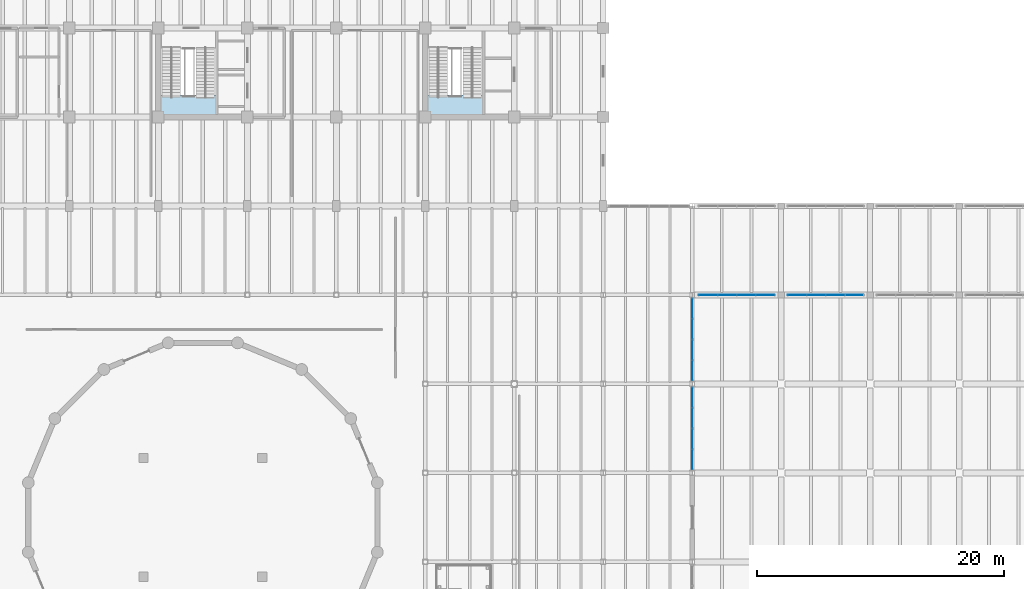
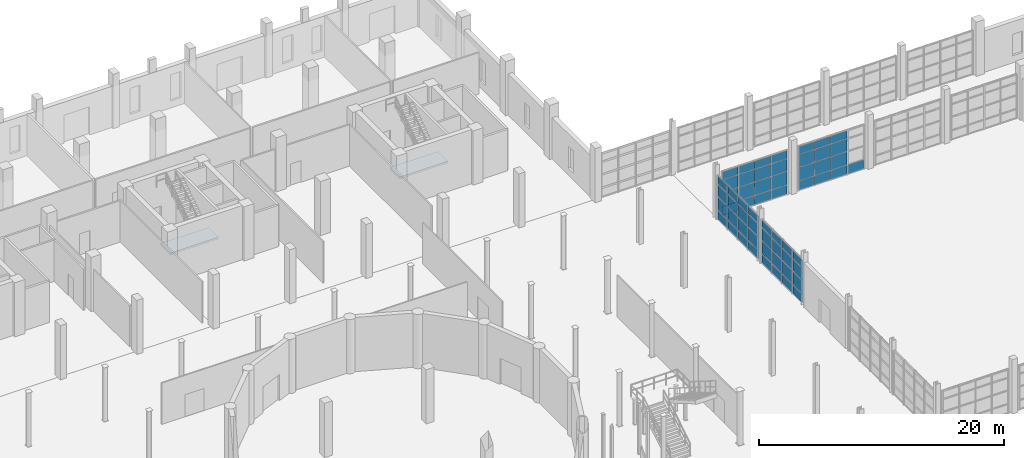
# One storey, part 56 of 79: 61 plates, 2 slabs, 6 elements without a shape of their own.
"""IFC4 building model written with IfcOpenShell, lengths in metres."""

from ifc_helpers import new_model, si_unit, direction, frame, frame_2d, origin, place, context, subcontext, project, spatial, polyline, rectangle, outline, extrude, material, layer, layer_set, type_object, element, aggregate, save


model = new_model("IFC4")

# Units and contexts
model_context = context("Model", 3, precision=1e-05, world=origin(), true_north=direction((0.0, 1.0)))
body_context = subcontext(model_context, "Body", "Model", "MODEL_VIEW")
ifc_project = project(units=[si_unit("LENGTHUNIT", "METRE"), si_unit("AREAUNIT", "SQUARE_METRE"), si_unit("VOLUMEUNIT", "CUBIC_METRE"), si_unit("PLANEANGLEUNIT", "RADIAN"), si_unit("MASSUNIT", "GRAM", prefix="KILO")], contexts=[model_context])

# Site, building, storey
site_placement = place(None, origin())
site = spatial("IfcSite", under=ifc_project, at=site_placement, CompositionType="ELEMENT")
building_placement = place(site_placement, origin())
building = spatial("IfcBuilding", under=site, at=building_placement, Name="Qiaolan Assembly House", CompositionType="ELEMENT")
storey_placement = place(building_placement, origin())
storey = spatial("IfcBuildingStorey", under=building, at=storey_placement, Name="L00", CompositionType="ELEMENT", Elevation=0.0)

# Curtain wall, plates
ifc_material_1 = material(Name="Anodised bronze aluminium", Category="aluminium")
curtain_wall_type_1 = type_object("IfcCurtainWallType", Name="CW-CLOISTER-420", PredefinedType="NOTDEFINED", material=ifc_material_1)
curtain_wall_1_placement = place(storey_placement, origin())
curtain_wall_1 = element("IfcCurtainWall", 1, at=curtain_wall_1_placement, inside=storey, type_object=curtain_wall_type_1, Name="CW-05 North Cloister court arcade L00-1", PredefinedType="NOTDEFINED")
ifc_material_2 = material(Name="Low-E double insulating glass", Category="glass")
ifc_layer_1 = layer(ifc_material_2, 0.02587890625)
ifc_layer_set_1 = layer_set([ifc_layer_1], Name="Low-E double insulating glass")
plate_type_1 = type_object("IfcPlateType", Name="CW-CLOISTER-420-PNL", PredefinedType="CURTAIN_PANEL", material=ifc_layer_set_1)
plate_1_placement = place(storey_placement, frame((108.547119140625, 79.199951171875, 0.052978515625), z_axis=(0.0, 0.0, 1.0), x_axis=(1.0, 0.0, 0.0)))
plate_1 = element("IfcPlate", 2, at=plate_1_placement, type_object=plate_type_1, Name="GL-06 glazing panel CW-CLN-CRT-L00-0-1", PredefinedType="CURTAIN_PANEL", context=body_context, shape_type="SweptSolid", body=[
    extrude(rectangle(XDim=1.48583984375, YDim=0.02587890625, at=frame_2d((0.742919921875, 0.0))), origin(), (0.0, 0.0, 1.0), 0.8740234375),
])
plate_2_placement = place(storey_placement, frame((108.547119140625, 79.199951171875, 0.972900390625), z_axis=(0.0, 0.0, 1.0), x_axis=(1.0, 0.0, 0.0)))
plate_2 = element("IfcPlate", 3, at=plate_2_placement, type_object=plate_type_1, Name="GL-06 glazing panel CW-CLN-CRT-L00-0-2", PredefinedType="CURTAIN_PANEL", context=body_context, shape_type="SweptSolid", body=[
    extrude(rectangle(XDim=1.48583984375, YDim=0.02587890625, at=frame_2d((0.742919921875, 0.0))), origin(), (0.0, 0.0, 1.0), 1.302490234375),
])
plate_3_placement = place(storey_placement, frame((108.547119140625, 79.199951171875, 2.3212890625), z_axis=(0.0, 0.0, 1.0), x_axis=(1.0, 0.0, 0.0)))
plate_3 = element("IfcPlate", 4, at=plate_3_placement, type_object=plate_type_1, Name="GL-06 glazing panel CW-CLN-CRT-L00-0-3", PredefinedType="CURTAIN_PANEL", context=body_context, shape_type="SweptSolid", body=[
    extrude(rectangle(XDim=1.48583984375, YDim=0.02587890625, at=frame_2d((0.742919921875, 0.0))), origin(), (0.0, 0.0, 1.0), 1.225830078125),
])
plate_4_placement = place(storey_placement, frame((108.547119140625, 79.199951171875, 3.593017578125), z_axis=(0.0, 0.0, 1.0), x_axis=(1.0, 0.0, 0.0)))
plate_4 = element("IfcPlate", 5, at=plate_4_placement, type_object=plate_type_1, Name="GL-06 glazing panel CW-CLN-CRT-L00-0-4", PredefinedType="CURTAIN_PANEL", context=body_context, shape_type="SweptSolid", body=[
    extrude(rectangle(XDim=1.48583984375, YDim=0.02587890625, at=frame_2d((0.742919921875, 0.0))), origin(), (0.0, 0.0, 1.0), 0.77392578125),
])
plate_5_placement = place(storey_placement, frame((110.0869140625, 79.199951171875, 0.052978515625), z_axis=(0.0, 0.0, 1.0), x_axis=(1.0, 0.0, 0.0)))
plate_5 = element("IfcPlate", 6, at=plate_5_placement, type_object=plate_type_1, Name="GL-06 glazing panel CW-CLN-CRT-L00-0-5", PredefinedType="CURTAIN_PANEL", context=body_context, shape_type="SweptSolid", body=[
    extrude(rectangle(XDim=1.486083984375, YDim=0.02587890625, at=frame_2d((0.7431640625, 0.0))), origin(), (0.0, 0.0, 1.0), 0.8740234375),
])
plate_6_placement = place(storey_placement, frame((110.0869140625, 79.199951171875, 0.972900390625), z_axis=(0.0, 0.0, 1.0), x_axis=(1.0, 0.0, 0.0)))
plate_6 = element("IfcPlate", 7, at=plate_6_placement, type_object=plate_type_1, Name="GL-06 glazing panel CW-CLN-CRT-L00-0-6", PredefinedType="CURTAIN_PANEL", context=body_context, shape_type="SweptSolid", body=[
    extrude(rectangle(XDim=1.486083984375, YDim=0.02587890625, at=frame_2d((0.7431640625, 0.0))), origin(), (0.0, 0.0, 1.0), 1.302490234375),
])
plate_7_placement = place(storey_placement, frame((110.0869140625, 79.199951171875, 2.3212890625), z_axis=(0.0, 0.0, 1.0), x_axis=(1.0, 0.0, 0.0)))
plate_7 = element("IfcPlate", 8, at=plate_7_placement, type_object=plate_type_1, Name="GL-06 glazing panel CW-CLN-CRT-L00-0-7", PredefinedType="CURTAIN_PANEL", context=body_context, shape_type="SweptSolid", body=[
    extrude(rectangle(XDim=1.486083984375, YDim=0.02587890625, at=frame_2d((0.7431640625, 0.0))), origin(), (0.0, 0.0, 1.0), 1.225830078125),
])
plate_8_placement = place(storey_placement, frame((110.0869140625, 79.199951171875, 3.593017578125), z_axis=(0.0, 0.0, 1.0), x_axis=(1.0, 0.0, 0.0)))
plate_8 = element("IfcPlate", 9, at=plate_8_placement, type_object=plate_type_1, Name="GL-06 glazing panel CW-CLN-CRT-L00-0-8", PredefinedType="CURTAIN_PANEL", context=body_context, shape_type="SweptSolid", body=[
    extrude(rectangle(XDim=1.486083984375, YDim=0.02587890625, at=frame_2d((0.7431640625, 0.0))), origin(), (0.0, 0.0, 1.0), 0.77392578125),
])
plate_9_placement = place(storey_placement, frame((111.626953125, 79.199951171875, 0.052978515625), z_axis=(0.0, 0.0, 1.0), x_axis=(1.0, 0.0, 0.0)))
plate_9 = element("IfcPlate", 10, at=plate_9_placement, type_object=plate_type_1, Name="GL-06 glazing panel CW-CLN-CRT-L00-0-9", PredefinedType="CURTAIN_PANEL", context=body_context, shape_type="SweptSolid", body=[
    extrude(rectangle(XDim=1.486083984375, YDim=0.02587890625, at=frame_2d((0.7431640625, 0.0))), origin(), (0.0, 0.0, 1.0), 0.8740234375),
])
plate_10_placement = place(storey_placement, frame((111.626953125, 79.199951171875, 0.972900390625), z_axis=(0.0, 0.0, 1.0), x_axis=(1.0, 0.0, 0.0)))
plate_10 = element("IfcPlate", 11, at=plate_10_placement, type_object=plate_type_1, Name="GL-06 glazing panel CW-CLN-CRT-L00-0-10", PredefinedType="CURTAIN_PANEL", context=body_context, shape_type="SweptSolid", body=[
    extrude(rectangle(XDim=1.486083984375, YDim=0.02587890625, at=frame_2d((0.7431640625, 0.0))), origin(), (0.0, 0.0, 1.0), 1.302490234375),
])
plate_11_placement = place(storey_placement, frame((111.626953125, 79.199951171875, 2.3212890625), z_axis=(0.0, 0.0, 1.0), x_axis=(1.0, 0.0, 0.0)))
plate_11 = element("IfcPlate", 12, at=plate_11_placement, type_object=plate_type_1, Name="GL-06 glazing panel CW-CLN-CRT-L00-0-11", PredefinedType="CURTAIN_PANEL", context=body_context, shape_type="SweptSolid", body=[
    extrude(rectangle(XDim=1.486083984375, YDim=0.02587890625, at=frame_2d((0.7431640625, 0.0))), origin(), (0.0, 0.0, 1.0), 1.225830078125),
])
plate_12_placement = place(storey_placement, frame((111.626953125, 79.199951171875, 3.593017578125), z_axis=(0.0, 0.0, 1.0), x_axis=(1.0, 0.0, 0.0)))
plate_12 = element("IfcPlate", 13, at=plate_12_placement, type_object=plate_type_1, Name="GL-06 glazing panel CW-CLN-CRT-L00-0-12", PredefinedType="CURTAIN_PANEL", context=body_context, shape_type="SweptSolid", body=[
    extrude(rectangle(XDim=1.486083984375, YDim=0.02587890625, at=frame_2d((0.7431640625, 0.0))), origin(), (0.0, 0.0, 1.0), 0.77392578125),
])
plate_13_placement = place(storey_placement, frame((113.1669921875, 79.199951171875, 0.052978515625), z_axis=(0.0, 0.0, 1.0), x_axis=(1.0, 0.0, 0.0)))
plate_13 = element("IfcPlate", 14, at=plate_13_placement, type_object=plate_type_1, Name="GL-06 glazing panel CW-CLN-CRT-L00-0-13", PredefinedType="CURTAIN_PANEL", context=body_context, shape_type="SweptSolid", body=[
    extrude(rectangle(XDim=1.486083984375, YDim=0.02587890625, at=frame_2d((0.7431640625, 0.0))), origin(), (0.0, 0.0, 1.0), 0.8740234375),
])
plate_14_placement = place(storey_placement, frame((113.1669921875, 79.199951171875, 0.972900390625), z_axis=(0.0, 0.0, 1.0), x_axis=(1.0, 0.0, 0.0)))
plate_14 = element("IfcPlate", 15, at=plate_14_placement, type_object=plate_type_1, Name="GL-06 glazing panel CW-CLN-CRT-L00-0-14", PredefinedType="CURTAIN_PANEL", context=body_context, shape_type="SweptSolid", body=[
    extrude(rectangle(XDim=1.486083984375, YDim=0.02587890625, at=frame_2d((0.7431640625, 0.0))), origin(), (0.0, 0.0, 1.0), 1.302490234375),
])
plate_15_placement = place(storey_placement, frame((113.1669921875, 79.199951171875, 2.3212890625), z_axis=(0.0, 0.0, 1.0), x_axis=(1.0, 0.0, 0.0)))
plate_15 = element("IfcPlate", 16, at=plate_15_placement, type_object=plate_type_1, Name="GL-06 glazing panel CW-CLN-CRT-L00-0-15", PredefinedType="CURTAIN_PANEL", context=body_context, shape_type="SweptSolid", body=[
    extrude(rectangle(XDim=1.486083984375, YDim=0.02587890625, at=frame_2d((0.7431640625, 0.0))), origin(), (0.0, 0.0, 1.0), 1.225830078125),
])
plate_16_placement = place(storey_placement, frame((113.1669921875, 79.199951171875, 3.593017578125), z_axis=(0.0, 0.0, 1.0), x_axis=(1.0, 0.0, 0.0)))
plate_16 = element("IfcPlate", 17, at=plate_16_placement, type_object=plate_type_1, Name="GL-06 glazing panel CW-CLN-CRT-L00-0-16", PredefinedType="CURTAIN_PANEL", context=body_context, shape_type="SweptSolid", body=[
    extrude(rectangle(XDim=1.486083984375, YDim=0.02587890625, at=frame_2d((0.7431640625, 0.0))), origin(), (0.0, 0.0, 1.0), 0.77392578125),
])
aggregate(curtain_wall_1, [plate_1, plate_2, plate_3, plate_4, plate_5, plate_6, plate_7, plate_8, plate_9, plate_10, plate_11, plate_12, plate_13, plate_14, plate_15, plate_16])

curtain_wall_2_placement = place(storey_placement, origin())
curtain_wall_2 = element("IfcCurtainWall", 18, at=curtain_wall_2_placement, inside=storey, type_object=curtain_wall_type_1, Name="CW-05 North Cloister court arcade L00-2", PredefinedType="NOTDEFINED")
plate_17_placement = place(storey_placement, frame((115.7470703125, 79.199951171875, 0.052978515625), z_axis=(0.0, 0.0, 1.0), x_axis=(1.0, 0.0, 0.0)))
plate_17 = element("IfcPlate", 19, at=plate_17_placement, type_object=plate_type_1, Name="GL-06 glazing panel CW-CLN-CRT-L00-1-1", PredefinedType="CURTAIN_PANEL", context=body_context, shape_type="SweptSolid", body=[
    extrude(rectangle(XDim=1.48583984375, YDim=0.02587890625, at=frame_2d((0.742919921875, 0.0))), origin(), (0.0, 0.0, 1.0), 0.8740234375),
])
plate_18_placement = place(storey_placement, frame((115.7470703125, 79.199951171875, 0.972900390625), z_axis=(0.0, 0.0, 1.0), x_axis=(1.0, 0.0, 0.0)))
plate_18 = element("IfcPlate", 20, at=plate_18_placement, type_object=plate_type_1, Name="GL-06 glazing panel CW-CLN-CRT-L00-1-2", PredefinedType="CURTAIN_PANEL", context=body_context, shape_type="SweptSolid", body=[
    extrude(rectangle(XDim=1.48583984375, YDim=0.02587890625, at=frame_2d((0.742919921875, 0.0))), origin(), (0.0, 0.0, 1.0), 1.302490234375),
])
plate_19_placement = place(storey_placement, frame((115.7470703125, 79.199951171875, 2.3212890625), z_axis=(0.0, 0.0, 1.0), x_axis=(1.0, 0.0, 0.0)))
plate_19 = element("IfcPlate", 21, at=plate_19_placement, type_object=plate_type_1, Name="GL-06 glazing panel CW-CLN-CRT-L00-1-3", PredefinedType="CURTAIN_PANEL", context=body_context, shape_type="SweptSolid", body=[
    extrude(rectangle(XDim=1.48583984375, YDim=0.02587890625, at=frame_2d((0.742919921875, 0.0))), origin(), (0.0, 0.0, 1.0), 1.225830078125),
])
plate_20_placement = place(storey_placement, frame((115.7470703125, 79.199951171875, 3.593017578125), z_axis=(0.0, 0.0, 1.0), x_axis=(1.0, 0.0, 0.0)))
plate_20 = element("IfcPlate", 22, at=plate_20_placement, type_object=plate_type_1, Name="GL-06 glazing panel CW-CLN-CRT-L00-1-4", PredefinedType="CURTAIN_PANEL", context=body_context, shape_type="SweptSolid", body=[
    extrude(rectangle(XDim=1.48583984375, YDim=0.02587890625, at=frame_2d((0.742919921875, 0.0))), origin(), (0.0, 0.0, 1.0), 0.77392578125),
])
plate_21_placement = place(storey_placement, frame((117.287109375, 79.199951171875, 0.052978515625), z_axis=(0.0, 0.0, 1.0), x_axis=(1.0, 0.0, 0.0)))
plate_21 = element("IfcPlate", 23, at=plate_21_placement, type_object=plate_type_1, Name="GL-06 glazing panel CW-CLN-CRT-L00-1-5", PredefinedType="CURTAIN_PANEL", context=body_context, shape_type="SweptSolid", body=[
    extrude(rectangle(XDim=1.48583984375, YDim=0.02587890625, at=frame_2d((0.742919921875, 0.0))), origin(), (0.0, 0.0, 1.0), 0.8740234375),
])
plate_22_placement = place(storey_placement, frame((117.287109375, 79.199951171875, 0.972900390625), z_axis=(0.0, 0.0, 1.0), x_axis=(1.0, 0.0, 0.0)))
plate_22 = element("IfcPlate", 24, at=plate_22_placement, type_object=plate_type_1, Name="GL-06 glazing panel CW-CLN-CRT-L00-1-6", PredefinedType="CURTAIN_PANEL", context=body_context, shape_type="SweptSolid", body=[
    extrude(rectangle(XDim=1.48583984375, YDim=0.02587890625, at=frame_2d((0.742919921875, 0.0))), origin(), (0.0, 0.0, 1.0), 1.302490234375),
])
plate_23_placement = place(storey_placement, frame((117.287109375, 79.199951171875, 2.3212890625), z_axis=(0.0, 0.0, 1.0), x_axis=(1.0, 0.0, 0.0)))
plate_23 = element("IfcPlate", 25, at=plate_23_placement, type_object=plate_type_1, Name="GL-06 glazing panel CW-CLN-CRT-L00-1-7", PredefinedType="CURTAIN_PANEL", context=body_context, shape_type="SweptSolid", body=[
    extrude(rectangle(XDim=1.48583984375, YDim=0.02587890625, at=frame_2d((0.742919921875, 0.0))), origin(), (0.0, 0.0, 1.0), 1.225830078125),
])
plate_24_placement = place(storey_placement, frame((117.287109375, 79.199951171875, 3.593017578125), z_axis=(0.0, 0.0, 1.0), x_axis=(1.0, 0.0, 0.0)))
plate_24 = element("IfcPlate", 26, at=plate_24_placement, type_object=plate_type_1, Name="GL-06 glazing panel CW-CLN-CRT-L00-1-8", PredefinedType="CURTAIN_PANEL", context=body_context, shape_type="SweptSolid", body=[
    extrude(rectangle(XDim=1.48583984375, YDim=0.02587890625, at=frame_2d((0.742919921875, 0.0))), origin(), (0.0, 0.0, 1.0), 0.77392578125),
])
plate_25_placement = place(storey_placement, frame((118.826904296875, 79.199951171875, 0.052978515625), z_axis=(0.0, 0.0, 1.0), x_axis=(1.0, 0.0, 0.0)))
plate_25 = element("IfcPlate", 27, at=plate_25_placement, type_object=plate_type_1, Name="GL-06 glazing panel CW-CLN-CRT-L00-1-9", PredefinedType="CURTAIN_PANEL", context=body_context, shape_type="SweptSolid", body=[
    extrude(rectangle(XDim=1.486083984375, YDim=0.02587890625, at=frame_2d((0.7431640625, 0.0))), origin(), (0.0, 0.0, 1.0), 0.8740234375),
])
plate_26_placement = place(storey_placement, frame((118.826904296875, 79.199951171875, 0.972900390625), z_axis=(0.0, 0.0, 1.0), x_axis=(1.0, 0.0, 0.0)))
plate_26 = element("IfcPlate", 28, at=plate_26_placement, type_object=plate_type_1, Name="GL-06 glazing panel CW-CLN-CRT-L00-1-10", PredefinedType="CURTAIN_PANEL", context=body_context, shape_type="SweptSolid", body=[
    extrude(rectangle(XDim=1.486083984375, YDim=0.02587890625, at=frame_2d((0.7431640625, 0.0))), origin(), (0.0, 0.0, 1.0), 1.302490234375),
])
plate_27_placement = place(storey_placement, frame((118.826904296875, 79.199951171875, 2.3212890625), z_axis=(0.0, 0.0, 1.0), x_axis=(1.0, 0.0, 0.0)))
plate_27 = element("IfcPlate", 29, at=plate_27_placement, type_object=plate_type_1, Name="GL-06 glazing panel CW-CLN-CRT-L00-1-11", PredefinedType="CURTAIN_PANEL", context=body_context, shape_type="SweptSolid", body=[
    extrude(rectangle(XDim=1.486083984375, YDim=0.02587890625, at=frame_2d((0.7431640625, 0.0))), origin(), (0.0, 0.0, 1.0), 1.225830078125),
])
plate_28_placement = place(storey_placement, frame((118.826904296875, 79.199951171875, 3.593017578125), z_axis=(0.0, 0.0, 1.0), x_axis=(1.0, 0.0, 0.0)))
plate_28 = element("IfcPlate", 30, at=plate_28_placement, type_object=plate_type_1, Name="GL-06 glazing panel CW-CLN-CRT-L00-1-12", PredefinedType="CURTAIN_PANEL", context=body_context, shape_type="SweptSolid", body=[
    extrude(rectangle(XDim=1.486083984375, YDim=0.02587890625, at=frame_2d((0.7431640625, 0.0))), origin(), (0.0, 0.0, 1.0), 0.77392578125),
])
plate_29_placement = place(storey_placement, frame((120.366943359375, 79.199951171875, 0.052978515625), z_axis=(0.0, 0.0, 1.0), x_axis=(1.0, 0.0, 0.0)))
plate_29 = element("IfcPlate", 31, at=plate_29_placement, type_object=plate_type_1, Name="GL-06 glazing panel CW-CLN-CRT-L00-1-13", PredefinedType="CURTAIN_PANEL", context=body_context, shape_type="SweptSolid", body=[
    extrude(rectangle(XDim=1.486083984375, YDim=0.02587890625, at=frame_2d((0.7431640625, 0.0))), origin(), (0.0, 0.0, 1.0), 0.8740234375),
])
aggregate(curtain_wall_2, [plate_17, plate_18, plate_19, plate_20, plate_21, plate_22, plate_23, plate_24, plate_25, plate_26, plate_27, plate_28, plate_29])

curtain_wall_type_2 = type_object("IfcCurtainWallType", Name="CW-HALL-MAIN-540", PredefinedType="NOTDEFINED", material=ifc_material_1)
curtain_wall_3_placement = place(storey_placement, origin())
curtain_wall_3 = element("IfcCurtainWall", 32, at=curtain_wall_3_placement, inside=storey, type_object=curtain_wall_type_2, Name="CW-01 Hall East court curtain wall L00-4", PredefinedType="NOTDEFINED")
ifc_layer_2 = layer(ifc_material_2, 0.035888671875)
ifc_layer_set_2 = layer_set([ifc_layer_2], Name="Low-E double insulating glass")
plate_type_2 = type_object("IfcPlateType", Name="CW-HALL-MAIN-540-PNL", PredefinedType="CURTAIN_PANEL", material=ifc_layer_set_2)
plate_30_placement = place(storey_placement, frame((108.0, 71.7119140625, 0.06298828125), z_axis=(0.0, 0.0, 1.0), x_axis=(0.0, -1.0, 0.0)))
plate_30 = element("IfcPlate", 33, at=plate_30_placement, type_object=plate_type_2, Name="GL-01 glazing panel CW-HALL-E-L00-03-1", PredefinedType="CURTAIN_PANEL", context=body_context, shape_type="SweptSolid", body=[
    extrude(rectangle(XDim=1.598876953125, YDim=0.035888671875, at=frame_2d((0.79931640625, 0.0))), origin(), (0.0, 0.0, 1.0), 0.85400390625),
])
plate_31_placement = place(storey_placement, frame((108.0, 71.7119140625, 0.98291015625), z_axis=(0.0, 0.0, 1.0), x_axis=(0.0, -1.0, 0.0)))
plate_31 = element("IfcPlate", 34, at=plate_31_placement, type_object=plate_type_2, Name="GL-01 glazing panel CW-HALL-E-L00-03-2", PredefinedType="CURTAIN_PANEL", context=body_context, shape_type="SweptSolid", body=[
    extrude(rectangle(XDim=1.598876953125, YDim=0.035888671875, at=frame_2d((0.79931640625, 0.0))), origin(), (0.0, 0.0, 1.0), 1.27197265625),
])
plate_32_placement = place(storey_placement, frame((108.0, 71.7119140625, 2.321044921875), z_axis=(0.0, 0.0, 1.0), x_axis=(0.0, -1.0, 0.0)))
plate_32 = element("IfcPlate", 35, at=plate_32_placement, type_object=plate_type_2, Name="GL-01 glazing panel CW-HALL-E-L00-03-3", PredefinedType="CURTAIN_PANEL", context=body_context, shape_type="SweptSolid", body=[
    extrude(rectangle(XDim=1.598876953125, YDim=0.035888671875, at=frame_2d((0.79931640625, 0.0))), origin(), (0.0, 0.0, 1.0), 1.196044921875),
])
plate_33_placement = place(storey_placement, frame((108.0, 71.7119140625, 3.5830078125), z_axis=(0.0, 0.0, 1.0), x_axis=(0.0, -1.0, 0.0)))
plate_33 = element("IfcPlate", 36, at=plate_33_placement, type_object=plate_type_2, Name="GL-01 glazing panel CW-HALL-E-L00-03-4", PredefinedType="CURTAIN_PANEL", context=body_context, shape_type="SweptSolid", body=[
    extrude(rectangle(XDim=1.598876953125, YDim=0.035888671875, at=frame_2d((0.79931640625, 0.0))), origin(), (0.0, 0.0, 1.0), 0.75390625),
])
plate_34_placement = place(storey_placement, frame((108.0, 70.037109375, 0.06298828125), z_axis=(0.0, 0.0, 1.0), x_axis=(0.0, -1.0, 0.0)))
plate_34 = element("IfcPlate", 37, at=plate_34_placement, type_object=plate_type_2, Name="GL-01 glazing panel CW-HALL-E-L00-03-5", PredefinedType="CURTAIN_PANEL", context=body_context, shape_type="SweptSolid", body=[
    extrude(rectangle(XDim=1.59912109375, YDim=0.035888671875, at=frame_2d((0.799560546875, 0.0))), origin(), (0.0, 0.0, 1.0), 0.85400390625),
])
plate_35_placement = place(storey_placement, frame((108.0, 70.037109375, 0.98291015625), z_axis=(0.0, 0.0, 1.0), x_axis=(0.0, -1.0, 0.0)))
plate_35 = element("IfcPlate", 38, at=plate_35_placement, type_object=plate_type_2, Name="GL-01 glazing panel CW-HALL-E-L00-03-6", PredefinedType="CURTAIN_PANEL", context=body_context, shape_type="SweptSolid", body=[
    extrude(rectangle(XDim=1.59912109375, YDim=0.035888671875, at=frame_2d((0.799560546875, 0.0))), origin(), (0.0, 0.0, 1.0), 1.27197265625),
])
plate_36_placement = place(storey_placement, frame((108.0, 70.037109375, 2.321044921875), z_axis=(0.0, 0.0, 1.0), x_axis=(0.0, -1.0, 0.0)))
plate_36 = element("IfcPlate", 39, at=plate_36_placement, type_object=plate_type_2, Name="GL-01 glazing panel CW-HALL-E-L00-03-7", PredefinedType="CURTAIN_PANEL", context=body_context, shape_type="SweptSolid", body=[
    extrude(rectangle(XDim=1.59912109375, YDim=0.035888671875, at=frame_2d((0.799560546875, 0.0))), origin(), (0.0, 0.0, 1.0), 1.196044921875),
])
plate_37_placement = place(storey_placement, frame((108.0, 70.037109375, 3.5830078125), z_axis=(0.0, 0.0, 1.0), x_axis=(0.0, -1.0, 0.0)))
plate_37 = element("IfcPlate", 40, at=plate_37_placement, type_object=plate_type_2, Name="GL-01 glazing panel CW-HALL-E-L00-03-8", PredefinedType="CURTAIN_PANEL", context=body_context, shape_type="SweptSolid", body=[
    extrude(rectangle(XDim=1.59912109375, YDim=0.035888671875, at=frame_2d((0.799560546875, 0.0))), origin(), (0.0, 0.0, 1.0), 0.75390625),
])
plate_38_placement = place(storey_placement, frame((108.0, 68.362060546875, 0.06298828125), z_axis=(0.0, 0.0, 1.0), x_axis=(0.0, -1.0, 0.0)))
plate_38 = element("IfcPlate", 41, at=plate_38_placement, type_object=plate_type_2, Name="GL-01 glazing panel CW-HALL-E-L00-03-9", PredefinedType="CURTAIN_PANEL", context=body_context, shape_type="SweptSolid", body=[
    extrude(rectangle(XDim=1.59912109375, YDim=0.035888671875, at=frame_2d((0.799560546875, 0.0))), origin(), (0.0, 0.0, 1.0), 0.85400390625),
])
plate_39_placement = place(storey_placement, frame((108.0, 68.362060546875, 0.98291015625), z_axis=(0.0, 0.0, 1.0), x_axis=(0.0, -1.0, 0.0)))
plate_39 = element("IfcPlate", 42, at=plate_39_placement, type_object=plate_type_2, Name="GL-01 glazing panel CW-HALL-E-L00-03-10", PredefinedType="CURTAIN_PANEL", context=body_context, shape_type="SweptSolid", body=[
    extrude(rectangle(XDim=1.59912109375, YDim=0.035888671875, at=frame_2d((0.799560546875, 0.0))), origin(), (0.0, 0.0, 1.0), 1.27197265625),
])
plate_40_placement = place(storey_placement, frame((108.0, 68.362060546875, 2.321044921875), z_axis=(0.0, 0.0, 1.0), x_axis=(0.0, -1.0, 0.0)))
plate_40 = element("IfcPlate", 43, at=plate_40_placement, type_object=plate_type_2, Name="GL-01 glazing panel CW-HALL-E-L00-03-11", PredefinedType="CURTAIN_PANEL", context=body_context, shape_type="SweptSolid", body=[
    extrude(rectangle(XDim=1.59912109375, YDim=0.035888671875, at=frame_2d((0.799560546875, 0.0))), origin(), (0.0, 0.0, 1.0), 1.196044921875),
])
plate_41_placement = place(storey_placement, frame((108.0, 68.362060546875, 3.5830078125), z_axis=(0.0, 0.0, 1.0), x_axis=(0.0, -1.0, 0.0)))
plate_41 = element("IfcPlate", 44, at=plate_41_placement, type_object=plate_type_2, Name="GL-01 glazing panel CW-HALL-E-L00-03-12", PredefinedType="CURTAIN_PANEL", context=body_context, shape_type="SweptSolid", body=[
    extrude(rectangle(XDim=1.59912109375, YDim=0.035888671875, at=frame_2d((0.799560546875, 0.0))), origin(), (0.0, 0.0, 1.0), 0.75390625),
])
plate_42_placement = place(storey_placement, frame((108.0, 66.68701171875, 0.06298828125), z_axis=(0.0, 0.0, 1.0), x_axis=(0.0, -1.0, 0.0)))
plate_42 = element("IfcPlate", 45, at=plate_42_placement, type_object=plate_type_2, Name="GL-01 glazing panel CW-HALL-E-L00-03-13", PredefinedType="CURTAIN_PANEL", context=body_context, shape_type="SweptSolid", body=[
    extrude(rectangle(XDim=1.59912109375, YDim=0.035888671875, at=frame_2d((0.799560546875, 0.0))), origin(), (0.0, 0.0, 1.0), 0.85400390625),
])
plate_43_placement = place(storey_placement, frame((108.0, 66.68701171875, 0.98291015625), z_axis=(0.0, 0.0, 1.0), x_axis=(0.0, -1.0, 0.0)))
plate_43 = element("IfcPlate", 46, at=plate_43_placement, type_object=plate_type_2, Name="GL-01 glazing panel CW-HALL-E-L00-03-14", PredefinedType="CURTAIN_PANEL", context=body_context, shape_type="SweptSolid", body=[
    extrude(rectangle(XDim=1.59912109375, YDim=0.035888671875, at=frame_2d((0.799560546875, 0.0))), origin(), (0.0, 0.0, 1.0), 1.27197265625),
])
plate_44_placement = place(storey_placement, frame((108.0, 66.68701171875, 2.321044921875), z_axis=(0.0, 0.0, 1.0), x_axis=(0.0, -1.0, 0.0)))
plate_44 = element("IfcPlate", 47, at=plate_44_placement, type_object=plate_type_2, Name="GL-01 glazing panel CW-HALL-E-L00-03-15", PredefinedType="CURTAIN_PANEL", context=body_context, shape_type="SweptSolid", body=[
    extrude(rectangle(XDim=1.59912109375, YDim=0.035888671875, at=frame_2d((0.799560546875, 0.0))), origin(), (0.0, 0.0, 1.0), 1.196044921875),
])
plate_45_placement = place(storey_placement, frame((108.0, 66.68701171875, 3.5830078125), z_axis=(0.0, 0.0, 1.0), x_axis=(0.0, -1.0, 0.0)))
plate_45 = element("IfcPlate", 48, at=plate_45_placement, type_object=plate_type_2, Name="GL-01 glazing panel CW-HALL-E-L00-03-16", PredefinedType="CURTAIN_PANEL", context=body_context, shape_type="SweptSolid", body=[
    extrude(rectangle(XDim=1.59912109375, YDim=0.035888671875, at=frame_2d((0.799560546875, 0.0))), origin(), (0.0, 0.0, 1.0), 0.75390625),
])
aggregate(curtain_wall_3, [plate_30, plate_31, plate_32, plate_33, plate_34, plate_35, plate_36, plate_37, plate_38, plate_39, plate_40, plate_41, plate_42, plate_43, plate_44, plate_45])

curtain_wall_4_placement = place(storey_placement, origin())
curtain_wall_4 = element("IfcCurtainWall", 49, at=curtain_wall_4_placement, inside=storey, type_object=curtain_wall_type_2, Name="CW-01 Hall East court curtain wall L00-5", PredefinedType="NOTDEFINED")
plate_46_placement = place(storey_placement, frame((108.0, 78.912109375, 0.06298828125), z_axis=(0.0, 0.0, 1.0), x_axis=(0.0, -1.0, 0.0)))
plate_46 = element("IfcPlate", 50, at=plate_46_placement, type_object=plate_type_2, Name="GL-01 glazing panel CW-HALL-E-L00-04-1", PredefinedType="CURTAIN_PANEL", context=body_context, shape_type="SweptSolid", body=[
    extrude(rectangle(XDim=1.59912109375, YDim=0.035888671875, at=frame_2d((0.799560546875, 0.0))), origin(), (0.0, 0.0, 1.0), 0.85400390625),
])
plate_47_placement = place(storey_placement, frame((108.0, 78.912109375, 0.98291015625), z_axis=(0.0, 0.0, 1.0), x_axis=(0.0, -1.0, 0.0)))
plate_47 = element("IfcPlate", 51, at=plate_47_placement, type_object=plate_type_2, Name="GL-01 glazing panel CW-HALL-E-L00-04-2", PredefinedType="CURTAIN_PANEL", context=body_context, shape_type="SweptSolid", body=[
    extrude(rectangle(XDim=1.59912109375, YDim=0.035888671875, at=frame_2d((0.799560546875, 0.0))), origin(), (0.0, 0.0, 1.0), 1.27197265625),
])
plate_48_placement = place(storey_placement, frame((108.0, 78.912109375, 2.321044921875), z_axis=(0.0, 0.0, 1.0), x_axis=(0.0, -1.0, 0.0)))
plate_48 = element("IfcPlate", 52, at=plate_48_placement, type_object=plate_type_2, Name="GL-01 glazing panel CW-HALL-E-L00-04-3", PredefinedType="CURTAIN_PANEL", context=body_context, shape_type="SweptSolid", body=[
    extrude(rectangle(XDim=1.59912109375, YDim=0.035888671875, at=frame_2d((0.799560546875, 0.0))), origin(), (0.0, 0.0, 1.0), 1.196044921875),
])
plate_49_placement = place(storey_placement, frame((108.0, 78.912109375, 3.5830078125), z_axis=(0.0, 0.0, 1.0), x_axis=(0.0, -1.0, 0.0)))
plate_49 = element("IfcPlate", 53, at=plate_49_placement, type_object=plate_type_2, Name="GL-01 glazing panel CW-HALL-E-L00-04-4", PredefinedType="CURTAIN_PANEL", context=body_context, shape_type="SweptSolid", body=[
    extrude(rectangle(XDim=1.59912109375, YDim=0.035888671875, at=frame_2d((0.799560546875, 0.0))), origin(), (0.0, 0.0, 1.0), 0.75390625),
])
plate_50_placement = place(storey_placement, frame((108.0, 77.237060546875, 0.06298828125), z_axis=(0.0, 0.0, 1.0), x_axis=(0.0, -1.0, 0.0)))
plate_50 = element("IfcPlate", 54, at=plate_50_placement, type_object=plate_type_2, Name="GL-01 glazing panel CW-HALL-E-L00-04-5", PredefinedType="CURTAIN_PANEL", context=body_context, shape_type="SweptSolid", body=[
    extrude(rectangle(XDim=1.59912109375, YDim=0.035888671875, at=frame_2d((0.799560546875, 0.0))), origin(), (0.0, 0.0, 1.0), 0.85400390625),
])
plate_51_placement = place(storey_placement, frame((108.0, 77.237060546875, 0.98291015625), z_axis=(0.0, 0.0, 1.0), x_axis=(0.0, -1.0, 0.0)))
plate_51 = element("IfcPlate", 55, at=plate_51_placement, type_object=plate_type_2, Name="GL-01 glazing panel CW-HALL-E-L00-04-6", PredefinedType="CURTAIN_PANEL", context=body_context, shape_type="SweptSolid", body=[
    extrude(rectangle(XDim=1.59912109375, YDim=0.035888671875, at=frame_2d((0.799560546875, 0.0))), origin(), (0.0, 0.0, 1.0), 1.27197265625),
])
plate_52_placement = place(storey_placement, frame((108.0, 77.237060546875, 2.321044921875), z_axis=(0.0, 0.0, 1.0), x_axis=(0.0, -1.0, 0.0)))
plate_52 = element("IfcPlate", 56, at=plate_52_placement, type_object=plate_type_2, Name="GL-01 glazing panel CW-HALL-E-L00-04-7", PredefinedType="CURTAIN_PANEL", context=body_context, shape_type="SweptSolid", body=[
    extrude(rectangle(XDim=1.59912109375, YDim=0.035888671875, at=frame_2d((0.799560546875, 0.0))), origin(), (0.0, 0.0, 1.0), 1.196044921875),
])
plate_53_placement = place(storey_placement, frame((108.0, 77.237060546875, 3.5830078125), z_axis=(0.0, 0.0, 1.0), x_axis=(0.0, -1.0, 0.0)))
plate_53 = element("IfcPlate", 57, at=plate_53_placement, type_object=plate_type_2, Name="GL-01 glazing panel CW-HALL-E-L00-04-8", PredefinedType="CURTAIN_PANEL", context=body_context, shape_type="SweptSolid", body=[
    extrude(rectangle(XDim=1.59912109375, YDim=0.035888671875, at=frame_2d((0.799560546875, 0.0))), origin(), (0.0, 0.0, 1.0), 0.75390625),
])
plate_54_placement = place(storey_placement, frame((108.0, 75.56201171875, 0.06298828125), z_axis=(0.0, 0.0, 1.0), x_axis=(0.0, -1.0, 0.0)))
plate_54 = element("IfcPlate", 58, at=plate_54_placement, type_object=plate_type_2, Name="GL-01 glazing panel CW-HALL-E-L00-04-9", PredefinedType="CURTAIN_PANEL", context=body_context, shape_type="SweptSolid", body=[
    extrude(rectangle(XDim=1.59912109375, YDim=0.035888671875, at=frame_2d((0.799560546875, 0.0))), origin(), (0.0, 0.0, 1.0), 0.85400390625),
])
plate_55_placement = place(storey_placement, frame((108.0, 75.56201171875, 0.98291015625), z_axis=(0.0, 0.0, 1.0), x_axis=(0.0, -1.0, 0.0)))
plate_55 = element("IfcPlate", 59, at=plate_55_placement, type_object=plate_type_2, Name="GL-01 glazing panel CW-HALL-E-L00-04-10", PredefinedType="CURTAIN_PANEL", context=body_context, shape_type="SweptSolid", body=[
    extrude(rectangle(XDim=1.59912109375, YDim=0.035888671875, at=frame_2d((0.799560546875, 0.0))), origin(), (0.0, 0.0, 1.0), 1.27197265625),
])
plate_56_placement = place(storey_placement, frame((108.0, 75.56201171875, 2.321044921875), z_axis=(0.0, 0.0, 1.0), x_axis=(0.0, -1.0, 0.0)))
plate_56 = element("IfcPlate", 60, at=plate_56_placement, type_object=plate_type_2, Name="GL-01 glazing panel CW-HALL-E-L00-04-11", PredefinedType="CURTAIN_PANEL", context=body_context, shape_type="SweptSolid", body=[
    extrude(rectangle(XDim=1.59912109375, YDim=0.035888671875, at=frame_2d((0.799560546875, 0.0))), origin(), (0.0, 0.0, 1.0), 1.196044921875),
])
plate_57_placement = place(storey_placement, frame((108.0, 75.56201171875, 3.5830078125), z_axis=(0.0, 0.0, 1.0), x_axis=(0.0, -1.0, 0.0)))
plate_57 = element("IfcPlate", 61, at=plate_57_placement, type_object=plate_type_2, Name="GL-01 glazing panel CW-HALL-E-L00-04-12", PredefinedType="CURTAIN_PANEL", context=body_context, shape_type="SweptSolid", body=[
    extrude(rectangle(XDim=1.59912109375, YDim=0.035888671875, at=frame_2d((0.799560546875, 0.0))), origin(), (0.0, 0.0, 1.0), 0.75390625),
])
plate_58_placement = place(storey_placement, frame((108.0, 73.886962890625, 0.06298828125), z_axis=(0.0, 0.0, 1.0), x_axis=(0.0, -1.0, 0.0)))
plate_58 = element("IfcPlate", 62, at=plate_58_placement, type_object=plate_type_2, Name="GL-01 glazing panel CW-HALL-E-L00-04-13", PredefinedType="CURTAIN_PANEL", context=body_context, shape_type="SweptSolid", body=[
    extrude(rectangle(XDim=1.598876953125, YDim=0.035888671875, at=frame_2d((0.79931640625, 0.0))), origin(), (0.0, 0.0, 1.0), 0.85400390625),
])
plate_59_placement = place(storey_placement, frame((108.0, 73.886962890625, 0.98291015625), z_axis=(0.0, 0.0, 1.0), x_axis=(0.0, -1.0, 0.0)))
plate_59 = element("IfcPlate", 63, at=plate_59_placement, type_object=plate_type_2, Name="GL-01 glazing panel CW-HALL-E-L00-04-14", PredefinedType="CURTAIN_PANEL", context=body_context, shape_type="SweptSolid", body=[
    extrude(rectangle(XDim=1.598876953125, YDim=0.035888671875, at=frame_2d((0.79931640625, 0.0))), origin(), (0.0, 0.0, 1.0), 1.27197265625),
])
plate_60_placement = place(storey_placement, frame((108.0, 73.886962890625, 2.321044921875), z_axis=(0.0, 0.0, 1.0), x_axis=(0.0, -1.0, 0.0)))
plate_60 = element("IfcPlate", 64, at=plate_60_placement, type_object=plate_type_2, Name="GL-01 glazing panel CW-HALL-E-L00-04-15", PredefinedType="CURTAIN_PANEL", context=body_context, shape_type="SweptSolid", body=[
    extrude(rectangle(XDim=1.598876953125, YDim=0.035888671875, at=frame_2d((0.79931640625, 0.0))), origin(), (0.0, 0.0, 1.0), 1.196044921875),
])
plate_61_placement = place(storey_placement, frame((108.0, 73.886962890625, 3.5830078125), z_axis=(0.0, 0.0, 1.0), x_axis=(0.0, -1.0, 0.0)))
plate_61 = element("IfcPlate", 65, at=plate_61_placement, type_object=plate_type_2, Name="GL-01 glazing panel CW-HALL-E-L00-04-16", PredefinedType="CURTAIN_PANEL", context=body_context, shape_type="SweptSolid", body=[
    extrude(rectangle(XDim=1.598876953125, YDim=0.035888671875, at=frame_2d((0.79931640625, 0.0))), origin(), (0.0, 0.0, 1.0), 0.75390625),
])
aggregate(curtain_wall_4, [plate_46, plate_47, plate_48, plate_49, plate_50, plate_51, plate_52, plate_53, plate_54, plate_55, plate_56, plate_57, plate_58, plate_59, plate_60, plate_61])

# Stair, slab
ifc_material_3 = material(Name="Concrete C40/50", Category="concrete")
stair_type = type_object("IfcStairType", Name="STR-PODIUM-540", PredefinedType="THREE_QUARTER_TURN_STAIR", material=ifc_material_3)
stair_1_placement = place(storey_placement, origin())
stair_1 = element("IfcStair", 66, at=stair_1_placement, inside=storey, type_object=stair_type, Name="ST-01 enclosed egress stair CORE-B L00", PredefinedType="THREE_QUARTER_TURN_STAIR")
ifc_layer_3 = layer(ifc_material_3, 0.199951171875)
ifc_layer_set_3 = layer_set([ifc_layer_3], Name="Concrete C40/50")
slab_type = type_object("IfcSlabType", Name="SLB-LANDING-200", PredefinedType="LANDING", material=ifc_layer_set_3)
slab_1_placement = place(storey_placement, frame((0.0, 0.0, 2.5)))
slab_1 = element("IfcSlab", 67, at=slab_1_placement, type_object=slab_type, Name="Stair landing LND-CORE-B-L00-HL", PredefinedType="LANDING", context=body_context, shape_type="SweptSolid", body=[
    extrude(outline(polyline([(64.97998046875, 93.780029296875), (64.97998046875, 95.389892578125), (69.52001953125, 95.389892578125), (69.52001953125, 93.780029296875), (64.97998046875, 93.780029296875)])), origin(), (0.0, 0.0, 1.0), 0.199951171875),
])
aggregate(stair_1, [slab_1])

stair_2_placement = place(storey_placement, origin())
stair_2 = element("IfcStair", 68, at=stair_2_placement, inside=storey, type_object=stair_type, Name="ST-01 enclosed egress stair CORE-G L00", PredefinedType="THREE_QUARTER_TURN_STAIR")
slab_2_placement = place(storey_placement, frame((0.0, 0.0, 2.5)))
slab_2 = element("IfcSlab", 69, at=slab_2_placement, type_object=slab_type, Name="Stair landing LND-CORE-G-L00-HL", PredefinedType="LANDING", context=body_context, shape_type="SweptSolid", body=[
    extrude(outline(polyline([(86.580078125, 93.780029296875), (86.580078125, 95.389892578125), (91.1201171875, 95.389892578125), (91.1201171875, 93.780029296875), (86.580078125, 93.780029296875)])), origin(), (0.0, 0.0, 1.0), 0.199951171875),
])
aggregate(stair_2, [slab_2])

save(model, "model.ifc")
